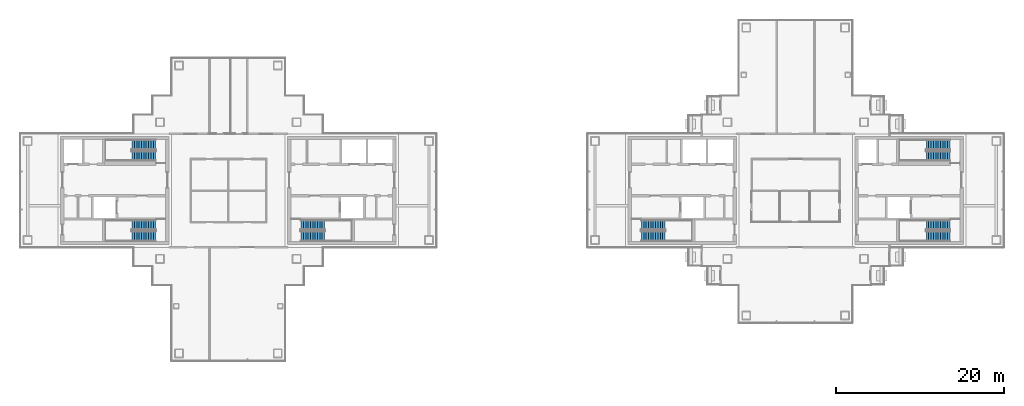
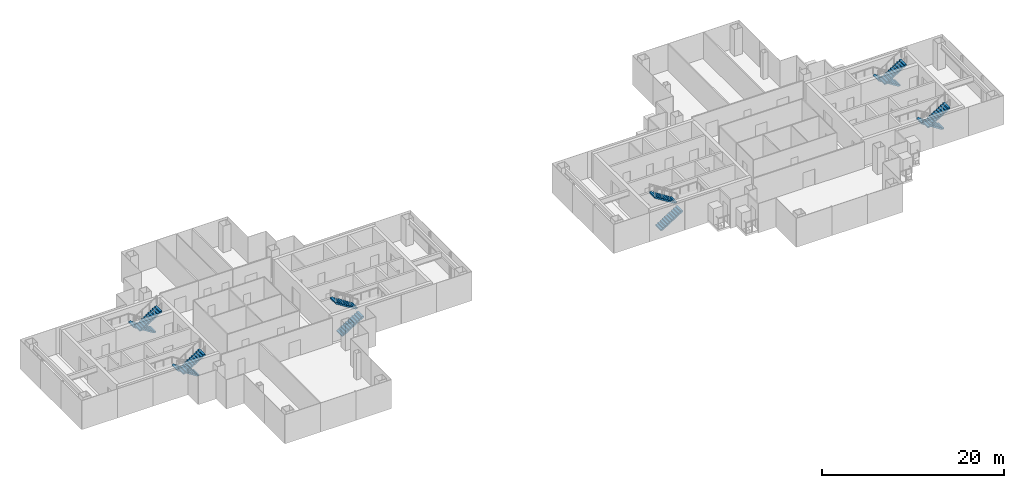
# One storey, part 13 of 16: 12 stair flights, 6 elements without a shape of their own.
"""IFC4 building model written with IfcOpenShell, lengths in metres."""

from ifc_helpers import new_model, si_unit, direction, frame, origin, place, context, subcontext, project, spatial, polyline, outline, extrude, material, type_object, element, aggregate, save


model = new_model("IFC4")

# Units and contexts
model_context = context("Model", 3, precision=1e-05, world=origin(), true_north=direction((0.0, 1.0)))
body_context = subcontext(model_context, "Body", "Model", "MODEL_VIEW")
ifc_project = project(units=[si_unit("LENGTHUNIT", "METRE"), si_unit("AREAUNIT", "SQUARE_METRE"), si_unit("VOLUMEUNIT", "CUBIC_METRE"), si_unit("PLANEANGLEUNIT", "RADIAN"), si_unit("MASSUNIT", "GRAM", prefix="KILO")], contexts=[model_context])

# Site, building, storey
site_placement = place(None, origin())
site = spatial("IfcSite", under=ifc_project, at=site_placement, CompositionType="ELEMENT")
building_placement = place(site_placement, origin())
building = spatial("IfcBuilding", under=site, at=building_placement, Name="Shamsa Quay Exchange Towers", CompositionType="ELEMENT")
storey_placement = place(building_placement, frame((0.0, 0.0, 190.5)))
storey = spatial("IfcBuildingStorey", under=building, at=storey_placement, Name="L45", CompositionType="ELEMENT", Elevation=190.5)

# Stair, stair flights
ifc_material = material(Name="Concrete C40/50", Category="concrete")
stair_type = type_object("IfcStairType", Name="EXIT STAIR 22 RISERS 177 MM", PredefinedType="HALF_TURN_STAIR", material=ifc_material)
stair_1_placement = place(storey_placement, origin())
stair_1 = element("IfcStair", 1, at=stair_1_placement, inside=storey, type_object=stair_type, Name="L45 Exit stair ST1", PredefinedType="HALF_TURN_STAIR")
stair_flight_type = type_object("IfcStairFlightType", Name="EXIT STAIR FLIGHT 11 RISERS 177 MM", PredefinedType="STRAIGHT", material=ifc_material)
stair_flight_1_placement = place(storey_placement, frame((-25.10009765625, -5.449951171875, 0.0)))
stair_flight_1 = element("IfcStairFlight", 2, at=stair_flight_1_placement, type_object=stair_flight_type, Name="ST1 flight 1", NumberOfRisers=11, NumberOfTreads=10, PredefinedType="STRAIGHT", RiserHeight=0.177272727, TreadLength=0.28, context=body_context, shape_type="SweptSolid", body=[
    extrude(outline(polyline([(0.0, 0.0), (0.0, 0.17724609375), (0.280029296875, 0.17724609375), (0.280029296875, 0.3544921875), (0.56005859375, 0.3544921875), (0.56005859375, 0.53173828125), (0.840087890625, 0.53173828125), (0.840087890625, 0.708984375), (1.1201171875, 0.708984375), (1.1201171875, 0.886474609375), (1.39990234375, 0.886474609375), (1.39990234375, 1.063720703125), (1.679931640625, 1.063720703125), (1.679931640625, 1.240966796875), (1.9599609375, 1.240966796875), (1.9599609375, 1.418212890625), (2.239990234375, 1.418212890625), (2.239990234375, 1.595458984375), (2.52001953125, 1.595458984375), (2.52001953125, 1.772705078125), (2.800048828125, 1.772705078125), (2.800048828125, 1.949951171875), (2.800048828125, 1.607177734375), (0.261474609375, 0.0), (0.0, 0.0)])), frame((0.0, 0.60009765625, 0.0), z_axis=(0.0, -1.0, 0.0), x_axis=(1.0, 0.0, 0.0)), (0.0, 0.0, 1.0), 1.199951171875),
])
stair_flight_2_placement = place(storey_placement, frame((-22.300048828125, -4.10009765625, 1.949951171875), z_axis=(0.0, 0.0, 1.0), x_axis=(-1.0, 0.0, 0.0)))
stair_flight_2 = element("IfcStairFlight", 3, at=stair_flight_2_placement, type_object=stair_flight_type, Name="ST1 flight 2", NumberOfRisers=11, NumberOfTreads=10, PredefinedType="STRAIGHT", RiserHeight=0.177272727, TreadLength=0.28, context=body_context, shape_type="SweptSolid", body=[
    extrude(outline(polyline([(0.0, 0.0), (0.0, 0.17724609375), (0.280029296875, 0.17724609375), (0.280029296875, 0.3544921875), (0.56005859375, 0.3544921875), (0.56005859375, 0.53173828125), (0.840087890625, 0.53173828125), (0.840087890625, 0.708984375), (1.1201171875, 0.708984375), (1.1201171875, 0.886474609375), (1.39990234375, 0.886474609375), (1.39990234375, 1.063720703125), (1.679931640625, 1.063720703125), (1.679931640625, 1.240966796875), (1.9599609375, 1.240966796875), (1.9599609375, 1.418212890625), (2.239990234375, 1.418212890625), (2.239990234375, 1.595458984375), (2.52001953125, 1.595458984375), (2.52001953125, 1.772705078125), (2.800048828125, 1.772705078125), (2.800048828125, 1.949951171875), (2.800048828125, 1.607177734375), (0.261474609375, 0.0), (0.0, 0.0)])), frame((0.0, 0.60009765625, 0.0), z_axis=(0.0, -1.0, 0.0), x_axis=(1.0, 0.0, 0.0)), (0.0, 0.0, 1.0), 1.199951171875),
])
aggregate(stair_1, [stair_flight_1, stair_flight_2])

stair_2_placement = place(storey_placement, origin())
stair_2 = element("IfcStair", 4, at=stair_2_placement, inside=storey, type_object=stair_type, Name="L45 Exit stair ST2", PredefinedType="HALF_TURN_STAIR")
stair_flight_3_placement = place(storey_placement, frame((-42.39990234375, -4.10009765625, 0.0), z_axis=(0.0, 0.0, 1.0), x_axis=(-1.0, 0.0, 0.0)))
stair_flight_3 = element("IfcStairFlight", 5, at=stair_flight_3_placement, type_object=stair_flight_type, Name="ST2 flight 1", NumberOfRisers=11, NumberOfTreads=10, PredefinedType="STRAIGHT", RiserHeight=0.177272727, TreadLength=0.28, context=body_context, shape_type="SweptSolid", body=[
    extrude(outline(polyline([(0.0, 0.0), (0.0, 0.17724609375), (0.280029296875, 0.17724609375), (0.280029296875, 0.3544921875), (0.56005859375, 0.3544921875), (0.56005859375, 0.53173828125), (0.840087890625, 0.53173828125), (0.840087890625, 0.708984375), (1.1201171875, 0.708984375), (1.1201171875, 0.886474609375), (1.39990234375, 0.886474609375), (1.39990234375, 1.063720703125), (1.679931640625, 1.063720703125), (1.679931640625, 1.240966796875), (1.9599609375, 1.240966796875), (1.9599609375, 1.418212890625), (2.239990234375, 1.418212890625), (2.239990234375, 1.595458984375), (2.52001953125, 1.595458984375), (2.52001953125, 1.772705078125), (2.800048828125, 1.772705078125), (2.800048828125, 1.949951171875), (2.800048828125, 1.607177734375), (0.261474609375, 0.0), (0.0, 0.0)])), frame((0.0, 0.60009765625, 0.0), z_axis=(0.0, -1.0, 0.0), x_axis=(1.0, 0.0, 0.0)), (0.0, 0.0, 1.0), 1.199951171875),
])
stair_flight_4_placement = place(storey_placement, frame((-45.199951171875, -5.449951171875, 1.949951171875)))
stair_flight_4 = element("IfcStairFlight", 6, at=stair_flight_4_placement, type_object=stair_flight_type, Name="ST2 flight 2", NumberOfRisers=11, NumberOfTreads=10, PredefinedType="STRAIGHT", RiserHeight=0.177272727, TreadLength=0.28, context=body_context, shape_type="SweptSolid", body=[
    extrude(outline(polyline([(0.0, 0.0), (0.0, 0.17724609375), (0.280029296875, 0.17724609375), (0.280029296875, 0.3544921875), (0.56005859375, 0.3544921875), (0.56005859375, 0.53173828125), (0.840087890625, 0.53173828125), (0.840087890625, 0.708984375), (1.1201171875, 0.708984375), (1.1201171875, 0.886474609375), (1.39990234375, 0.886474609375), (1.39990234375, 1.063720703125), (1.679931640625, 1.063720703125), (1.679931640625, 1.240966796875), (1.9599609375, 1.240966796875), (1.9599609375, 1.418212890625), (2.239990234375, 1.418212890625), (2.239990234375, 1.595458984375), (2.52001953125, 1.595458984375), (2.52001953125, 1.772705078125), (2.800048828125, 1.772705078125), (2.800048828125, 1.949951171875), (2.800048828125, 1.607177734375), (0.261474609375, 0.0), (0.0, 0.0)])), frame((0.0, 0.60009765625, 0.0), z_axis=(0.0, -1.0, 0.0), x_axis=(1.0, 0.0, 0.0)), (0.0, 0.0, 1.0), 1.199951171875),
])
aggregate(stair_2, [stair_flight_3, stair_flight_4])

stair_3_placement = place(storey_placement, origin())
stair_3 = element("IfcStair", 7, at=stair_3_placement, inside=storey, type_object=stair_type, Name="L45 Exit stair ST3", PredefinedType="HALF_TURN_STAIR")
stair_flight_5_placement = place(storey_placement, frame((-42.39990234375, 5.449951171875, 0.0), z_axis=(0.0, 0.0, 1.0), x_axis=(-1.0, 0.0, 0.0)))
stair_flight_5 = element("IfcStairFlight", 8, at=stair_flight_5_placement, type_object=stair_flight_type, Name="ST3 flight 1", NumberOfRisers=11, NumberOfTreads=10, PredefinedType="STRAIGHT", RiserHeight=0.177272727, TreadLength=0.28, context=body_context, shape_type="SweptSolid", body=[
    extrude(outline(polyline([(0.0, 0.0), (0.0, 0.17724609375), (0.280029296875, 0.17724609375), (0.280029296875, 0.3544921875), (0.56005859375, 0.3544921875), (0.56005859375, 0.53173828125), (0.840087890625, 0.53173828125), (0.840087890625, 0.708984375), (1.1201171875, 0.708984375), (1.1201171875, 0.886474609375), (1.39990234375, 0.886474609375), (1.39990234375, 1.063720703125), (1.679931640625, 1.063720703125), (1.679931640625, 1.240966796875), (1.9599609375, 1.240966796875), (1.9599609375, 1.418212890625), (2.239990234375, 1.418212890625), (2.239990234375, 1.595458984375), (2.52001953125, 1.595458984375), (2.52001953125, 1.772705078125), (2.800048828125, 1.772705078125), (2.800048828125, 1.949951171875), (2.800048828125, 1.607177734375), (0.261474609375, 0.0), (0.0, 0.0)])), frame((0.0, 0.60009765625, 0.0), z_axis=(0.0, -1.0, 0.0), x_axis=(1.0, 0.0, 0.0)), (0.0, 0.0, 1.0), 1.199951171875),
])
stair_flight_6_placement = place(storey_placement, frame((-45.199951171875, 4.10009765625, 1.949951171875)))
stair_flight_6 = element("IfcStairFlight", 9, at=stair_flight_6_placement, type_object=stair_flight_type, Name="ST3 flight 2", NumberOfRisers=11, NumberOfTreads=10, PredefinedType="STRAIGHT", RiserHeight=0.177272727, TreadLength=0.28, context=body_context, shape_type="SweptSolid", body=[
    extrude(outline(polyline([(0.0, 0.0), (0.0, 0.17724609375), (0.280029296875, 0.17724609375), (0.280029296875, 0.3544921875), (0.56005859375, 0.3544921875), (0.56005859375, 0.53173828125), (0.840087890625, 0.53173828125), (0.840087890625, 0.708984375), (1.1201171875, 0.708984375), (1.1201171875, 0.886474609375), (1.39990234375, 0.886474609375), (1.39990234375, 1.063720703125), (1.679931640625, 1.063720703125), (1.679931640625, 1.240966796875), (1.9599609375, 1.240966796875), (1.9599609375, 1.418212890625), (2.239990234375, 1.418212890625), (2.239990234375, 1.595458984375), (2.52001953125, 1.595458984375), (2.52001953125, 1.772705078125), (2.800048828125, 1.772705078125), (2.800048828125, 1.949951171875), (2.800048828125, 1.607177734375), (0.261474609375, 0.0), (0.0, 0.0)])), frame((0.0, 0.60009765625, 0.0), z_axis=(0.0, -1.0, 0.0), x_axis=(1.0, 0.0, 0.0)), (0.0, 0.0, 1.0), 1.199951171875),
])
aggregate(stair_3, [stair_flight_5, stair_flight_6])

stair_4_placement = place(storey_placement, origin())
stair_4 = element("IfcStair", 10, at=stair_4_placement, inside=storey, type_object=stair_type, Name="L45 Exit stair ST4", PredefinedType="HALF_TURN_STAIR")
stair_flight_7_placement = place(storey_placement, frame((15.39990234375, -5.449951171875, 0.0)))
stair_flight_7 = element("IfcStairFlight", 11, at=stair_flight_7_placement, type_object=stair_flight_type, Name="ST4 flight 1", NumberOfRisers=11, NumberOfTreads=10, PredefinedType="STRAIGHT", RiserHeight=0.177272727, TreadLength=0.28, context=body_context, shape_type="SweptSolid", body=[
    extrude(outline(polyline([(0.0, 0.0), (0.0, 0.17724609375), (0.280029296875, 0.17724609375), (0.280029296875, 0.3544921875), (0.56005859375, 0.3544921875), (0.56005859375, 0.53173828125), (0.840087890625, 0.53173828125), (0.840087890625, 0.708984375), (1.1201171875, 0.708984375), (1.1201171875, 0.886474609375), (1.39990234375, 0.886474609375), (1.39990234375, 1.063720703125), (1.679931640625, 1.063720703125), (1.679931640625, 1.240966796875), (1.9599609375, 1.240966796875), (1.9599609375, 1.418212890625), (2.239990234375, 1.418212890625), (2.239990234375, 1.595458984375), (2.52001953125, 1.595458984375), (2.52001953125, 1.772705078125), (2.800048828125, 1.772705078125), (2.800048828125, 1.949951171875), (2.800048828125, 1.607177734375), (0.261474609375, 0.0), (0.0, 0.0)])), frame((0.0, 0.60009765625, 0.0), z_axis=(0.0, -1.0, 0.0), x_axis=(1.0, 0.0, 0.0)), (0.0, 0.0, 1.0), 1.199951171875),
])
stair_flight_8_placement = place(storey_placement, frame((18.199951171875, -4.10009765625, 1.949951171875), z_axis=(0.0, 0.0, 1.0), x_axis=(-1.0, 0.0, 0.0)))
stair_flight_8 = element("IfcStairFlight", 12, at=stair_flight_8_placement, type_object=stair_flight_type, Name="ST4 flight 2", NumberOfRisers=11, NumberOfTreads=10, PredefinedType="STRAIGHT", RiserHeight=0.177272727, TreadLength=0.28, context=body_context, shape_type="SweptSolid", body=[
    extrude(outline(polyline([(0.0, 0.0), (0.0, 0.17724609375), (0.280029296875, 0.17724609375), (0.280029296875, 0.3544921875), (0.56005859375, 0.3544921875), (0.56005859375, 0.53173828125), (0.840087890625, 0.53173828125), (0.840087890625, 0.708984375), (1.1201171875, 0.708984375), (1.1201171875, 0.886474609375), (1.39990234375, 0.886474609375), (1.39990234375, 1.063720703125), (1.679931640625, 1.063720703125), (1.679931640625, 1.240966796875), (1.9599609375, 1.240966796875), (1.9599609375, 1.418212890625), (2.239990234375, 1.418212890625), (2.239990234375, 1.595458984375), (2.52001953125, 1.595458984375), (2.52001953125, 1.772705078125), (2.800048828125, 1.772705078125), (2.800048828125, 1.949951171875), (2.800048828125, 1.607177734375), (0.261474609375, 0.0), (0.0, 0.0)])), frame((0.0, 0.60009765625, 0.0), z_axis=(0.0, -1.0, 0.0), x_axis=(1.0, 0.0, 0.0)), (0.0, 0.0, 1.0), 1.199951171875),
])
aggregate(stair_4, [stair_flight_7, stair_flight_8])

stair_5_placement = place(storey_placement, origin())
stair_5 = element("IfcStair", 13, at=stair_5_placement, inside=storey, type_object=stair_type, Name="L45 Exit stair ST5", PredefinedType="HALF_TURN_STAIR")
stair_flight_9_placement = place(storey_placement, frame((52.10009765625, -4.10009765625, 0.0), z_axis=(0.0, 0.0, 1.0), x_axis=(-1.0, 0.0, 0.0)))
stair_flight_9 = element("IfcStairFlight", 14, at=stair_flight_9_placement, type_object=stair_flight_type, Name="ST5 flight 1", NumberOfRisers=11, NumberOfTreads=10, PredefinedType="STRAIGHT", RiserHeight=0.177272727, TreadLength=0.28, context=body_context, shape_type="SweptSolid", body=[
    extrude(outline(polyline([(0.0, 0.0), (0.0, 0.17724609375), (0.280029296875, 0.17724609375), (0.280029296875, 0.3544921875), (0.56005859375, 0.3544921875), (0.56005859375, 0.53173828125), (0.840087890625, 0.53173828125), (0.840087890625, 0.708984375), (1.1201171875, 0.708984375), (1.1201171875, 0.886474609375), (1.39990234375, 0.886474609375), (1.39990234375, 1.063720703125), (1.679931640625, 1.063720703125), (1.679931640625, 1.240966796875), (1.9599609375, 1.240966796875), (1.9599609375, 1.418212890625), (2.239990234375, 1.418212890625), (2.239990234375, 1.595458984375), (2.52001953125, 1.595458984375), (2.52001953125, 1.772705078125), (2.800048828125, 1.772705078125), (2.800048828125, 1.949951171875), (2.800048828125, 1.607177734375), (0.261474609375, 0.0), (0.0, 0.0)])), frame((0.0, 0.60009765625, 0.0), z_axis=(0.0, -1.0, 0.0), x_axis=(1.0, 0.0, 0.0)), (0.0, 0.0, 1.0), 1.199951171875),
])
stair_flight_10_placement = place(storey_placement, frame((49.300048828125, -5.449951171875, 1.949951171875)))
stair_flight_10 = element("IfcStairFlight", 15, at=stair_flight_10_placement, type_object=stair_flight_type, Name="ST5 flight 2", NumberOfRisers=11, NumberOfTreads=10, PredefinedType="STRAIGHT", RiserHeight=0.177272727, TreadLength=0.28, context=body_context, shape_type="SweptSolid", body=[
    extrude(outline(polyline([(0.0, 0.0), (0.0, 0.17724609375), (0.280029296875, 0.17724609375), (0.280029296875, 0.3544921875), (0.56005859375, 0.3544921875), (0.56005859375, 0.53173828125), (0.840087890625, 0.53173828125), (0.840087890625, 0.708984375), (1.1201171875, 0.708984375), (1.1201171875, 0.886474609375), (1.39990234375, 0.886474609375), (1.39990234375, 1.063720703125), (1.679931640625, 1.063720703125), (1.679931640625, 1.240966796875), (1.9599609375, 1.240966796875), (1.9599609375, 1.418212890625), (2.239990234375, 1.418212890625), (2.239990234375, 1.595458984375), (2.52001953125, 1.595458984375), (2.52001953125, 1.772705078125), (2.800048828125, 1.772705078125), (2.800048828125, 1.949951171875), (2.800048828125, 1.607177734375), (0.261474609375, 0.0), (0.0, 0.0)])), frame((0.0, 0.60009765625, 0.0), z_axis=(0.0, -1.0, 0.0), x_axis=(1.0, 0.0, 0.0)), (0.0, 0.0, 1.0), 1.199951171875),
])
aggregate(stair_5, [stair_flight_9, stair_flight_10])

stair_6_placement = place(storey_placement, origin())
stair_6 = element("IfcStair", 16, at=stair_6_placement, inside=storey, type_object=stair_type, Name="L45 Exit stair ST6", PredefinedType="HALF_TURN_STAIR")
stair_flight_11_placement = place(storey_placement, frame((52.10009765625, 5.449951171875, 0.0), z_axis=(0.0, 0.0, 1.0), x_axis=(-1.0, 0.0, 0.0)))
stair_flight_11 = element("IfcStairFlight", 17, at=stair_flight_11_placement, type_object=stair_flight_type, Name="ST6 flight 1", NumberOfRisers=11, NumberOfTreads=10, PredefinedType="STRAIGHT", RiserHeight=0.177272727, TreadLength=0.28, context=body_context, shape_type="SweptSolid", body=[
    extrude(outline(polyline([(0.0, 0.0), (0.0, 0.17724609375), (0.280029296875, 0.17724609375), (0.280029296875, 0.3544921875), (0.56005859375, 0.3544921875), (0.56005859375, 0.53173828125), (0.840087890625, 0.53173828125), (0.840087890625, 0.708984375), (1.1201171875, 0.708984375), (1.1201171875, 0.886474609375), (1.39990234375, 0.886474609375), (1.39990234375, 1.063720703125), (1.679931640625, 1.063720703125), (1.679931640625, 1.240966796875), (1.9599609375, 1.240966796875), (1.9599609375, 1.418212890625), (2.239990234375, 1.418212890625), (2.239990234375, 1.595458984375), (2.52001953125, 1.595458984375), (2.52001953125, 1.772705078125), (2.800048828125, 1.772705078125), (2.800048828125, 1.949951171875), (2.800048828125, 1.607177734375), (0.261474609375, 0.0), (0.0, 0.0)])), frame((0.0, 0.60009765625, 0.0), z_axis=(0.0, -1.0, 0.0), x_axis=(1.0, 0.0, 0.0)), (0.0, 0.0, 1.0), 1.199951171875),
])
stair_flight_12_placement = place(storey_placement, frame((49.300048828125, 4.10009765625, 1.949951171875)))
stair_flight_12 = element("IfcStairFlight", 18, at=stair_flight_12_placement, type_object=stair_flight_type, Name="ST6 flight 2", NumberOfRisers=11, NumberOfTreads=10, PredefinedType="STRAIGHT", RiserHeight=0.177272727, TreadLength=0.28, context=body_context, shape_type="SweptSolid", body=[
    extrude(outline(polyline([(0.0, 0.0), (0.0, 0.17724609375), (0.280029296875, 0.17724609375), (0.280029296875, 0.3544921875), (0.56005859375, 0.3544921875), (0.56005859375, 0.53173828125), (0.840087890625, 0.53173828125), (0.840087890625, 0.708984375), (1.1201171875, 0.708984375), (1.1201171875, 0.886474609375), (1.39990234375, 0.886474609375), (1.39990234375, 1.063720703125), (1.679931640625, 1.063720703125), (1.679931640625, 1.240966796875), (1.9599609375, 1.240966796875), (1.9599609375, 1.418212890625), (2.239990234375, 1.418212890625), (2.239990234375, 1.595458984375), (2.52001953125, 1.595458984375), (2.52001953125, 1.772705078125), (2.800048828125, 1.772705078125), (2.800048828125, 1.949951171875), (2.800048828125, 1.607177734375), (0.261474609375, 0.0), (0.0, 0.0)])), frame((0.0, 0.60009765625, 0.0), z_axis=(0.0, -1.0, 0.0), x_axis=(1.0, 0.0, 0.0)), (0.0, 0.0, 1.0), 1.199951171875),
])
aggregate(stair_6, [stair_flight_11, stair_flight_12])

save(model, "model.ifc")
